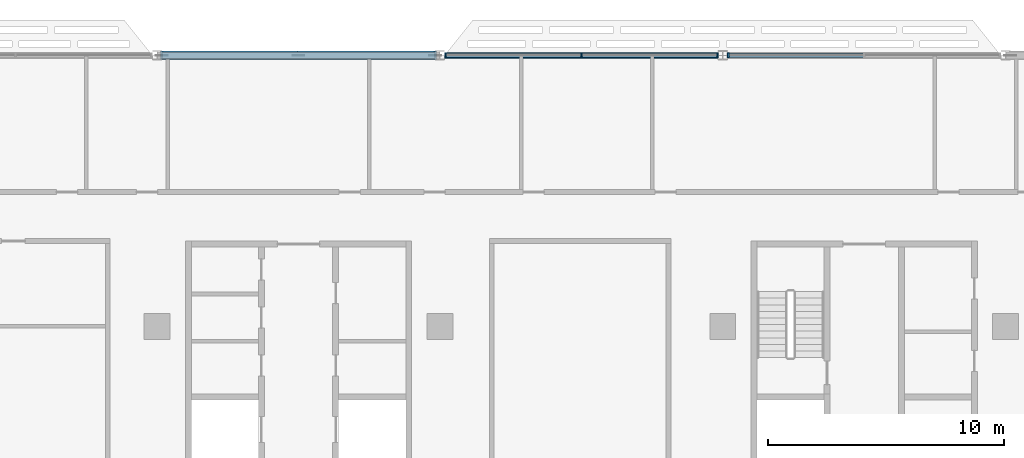
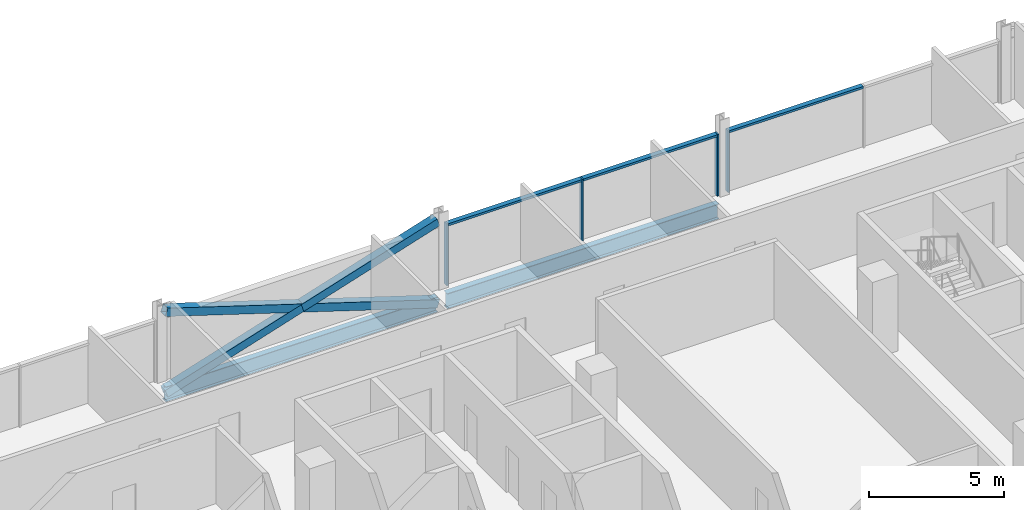
# One storey, part 8 of 30: 10 members, 2 beams, 2 elements without a shape of their own.
"""IFC4 building model written with IfcOpenShell, lengths in metres."""

from ifc_helpers import new_model, si_unit, direction, frame, origin, origin_2d, place, context, subcontext, project, spatial, rectangle, hollow_rectangle, i_section, extrude, material, material_profile, profile_set, type_object, element, aggregate, save


model = new_model("IFC4")

# Units and contexts
model_context = context("Model", 3, precision=1e-05, world=origin(), true_north=direction((0.0, 1.0)))
body_context = subcontext(model_context, "Body", "Model", "MODEL_VIEW")
ifc_project = project(units=[si_unit("LENGTHUNIT", "METRE"), si_unit("AREAUNIT", "SQUARE_METRE"), si_unit("VOLUMEUNIT", "CUBIC_METRE"), si_unit("PLANEANGLEUNIT", "RADIAN"), si_unit("MASSUNIT", "GRAM", prefix="KILO")], contexts=[model_context])

# Site, building, storey
site_placement = place(None, origin())
site = spatial("IfcSite", under=ifc_project, at=site_placement, CompositionType="ELEMENT")
building_placement = place(site_placement, origin())
building = spatial("IfcBuilding", under=site, at=building_placement, Name="Mahtab Terrace Research Tower", CompositionType="ELEMENT")
storey_placement = place(building_placement, frame((0.0, 0.0, 201.5)))
storey = spatial("IfcBuildingStorey", under=building, at=storey_placement, Name="L48", CompositionType="ELEMENT", Elevation=201.5)

# Members
ifc_material_1 = material(Name="Steel ASTM A500 Gr C", Category="steel")
ifc_material_profile_1 = material_profile(ifc_material_1, hollow_rectangle(XDim=0.355712890625, YDim=0.355712890625, WallThickness=0.015869140625, at=origin_2d()), Name="HSS14X14X5/8")
ifc_profile_set_1 = profile_set([ifc_material_profile_1], Name="Steel ASTM A500 Gr C")
member_type_1 = type_object("IfcMemberType", Name="HSS 14x14x5/8 brace XB141458", PredefinedType="BRACE", material=ifc_profile_set_1)
member_1_placement = place(storey_placement, frame((5.79931640625, 23.0, -0.615478515625), z_axis=(-0.953343380425, 0.0, 0.301888057067), x_axis=(0.0, -1.0, 0.0)))
element("IfcMember", 1, at=member_1_placement, inside=storey, type_object=member_type_1, Name="Exoskeleton brace L48 05 a", PredefinedType="BRACE", context=body_context, shape_type="SweptSolid", body=[
    extrude(hollow_rectangle(XDim=0.355712890625, YDim=0.355712890625, WallThickness=0.015869140625, at=origin_2d()), origin(), (0.0, 0.0, 1.0), 12.166259765625),
])
for number, where, z_axis, x_axis, name in (
    (2, (-5.79931640625, 23.0, -0.615478515625), (0.953343380425, 0.0, 0.301888057067), (0.0, 1.0, 0.0), "Exoskeleton brace L48 05 b1"),
    (3, (0.0, 23.0, 1.220947265625), (0.953343380425, 0.0, 0.301888057067), (0.0, 1.0, 0.0), "Exoskeleton brace L48 05 b2"),
):
    element("IfcMember", number, at=place(storey_placement, frame(where, z_axis=z_axis, x_axis=x_axis)), inside=storey, type_object=member_type_1, Name=name, PredefinedType="BRACE", context=body_context, shape_type="SweptSolid", body=[
        extrude(hollow_rectangle(XDim=0.355712890625, YDim=0.355712890625, WallThickness=0.015869140625, at=origin_2d()), origin(), (0.0, 0.0, 1.0), 6.083251953125),
    ])

# Curtain wall, member
ifc_material_2 = material(Name="Laboratory ribbon curtain wall")
curtain_wall_type = type_object("IfcCurtainWallType", Name="Laboratory ribbon curtain wall", PredefinedType="NOTDEFINED", material=ifc_material_2)
curtain_wall_1_placement = place(storey_placement, origin())
curtain_wall_1 = element("IfcCurtainWall", 4, at=curtain_wall_1_placement, inside=storey, type_object=curtain_wall_type, Name="EN.L48.3.5", PredefinedType="NOTDEFINED")
ifc_material_3 = material(Name="Natural anodised aluminium", Category="aluminium")
ifc_material_profile_2 = material_profile(ifc_material_3, rectangle(XDim=0.199951171875, YDim=0.06494140625, at=origin_2d()), Name="MULLION 65x200")
ifc_profile_set_2 = profile_set([ifc_material_profile_2], Name="Natural anodised aluminium")
member_type_2 = type_object("IfcMemberType", Name="Laboratory ribbon curtain wall mullion", PredefinedType="MULLION", material=ifc_profile_set_2)
member_2_placement = place(storey_placement, frame((18.232421875, 23.0, 0.0), z_axis=(0.0, 0.0, 1.0), x_axis=(0.0, -1.0, 0.0)))
member_2 = element("IfcMember", 5, at=member_2_placement, type_object=member_type_2, Name="CWL-6 mullion 3", PredefinedType="MULLION", context=body_context, shape_type="SweptSolid", body=[
    extrude(rectangle(XDim=0.199951171875, YDim=0.06494140625, at=origin_2d()), origin(), (0.0, 0.0, 1.0), 2.78173828125),
])

# Curtain wall, members
curtain_wall_2_placement = place(storey_placement, origin())
curtain_wall_2 = element("IfcCurtainWall", 6, at=curtain_wall_2_placement, inside=storey, type_object=curtain_wall_type, Name="EN.L48.3.6", PredefinedType="NOTDEFINED")
member_3_placement = place(storey_placement, frame((17.767578125, 23.0, 0.0), z_axis=(0.0, 0.0, 1.0), x_axis=(0.0, -1.0, 0.0)))
member_3 = element("IfcMember", 7, at=member_3_placement, type_object=member_type_2, Name="CWL-6 mullion 1", PredefinedType="MULLION", context=body_context, shape_type="SweptSolid", body=[
    extrude(rectangle(XDim=0.199951171875, YDim=0.06494140625, at=origin_2d()), origin(), (0.0, 0.0, 1.0), 2.78173828125),
])
member_4_placement = place(storey_placement, frame((12.0, 23.0, 0.0), z_axis=(0.0, 0.0, 1.0), x_axis=(0.0, -1.0, 0.0)))
member_4 = element("IfcMember", 8, at=member_4_placement, type_object=member_type_2, Name="CWL-6 mullion 2", PredefinedType="MULLION", context=body_context, shape_type="SweptSolid", body=[
    extrude(rectangle(XDim=0.199951171875, YDim=0.06494140625, at=origin_2d()), origin(), (0.0, 0.0, 1.0), 2.78173828125),
])
member_5_placement = place(storey_placement, frame((6.232421875, 23.0, 0.0), z_axis=(0.0, 0.0, 1.0), x_axis=(0.0, -1.0, 0.0)))
member_5 = element("IfcMember", 9, at=member_5_placement, type_object=member_type_2, Name="CWL-6 mullion 3", PredefinedType="MULLION", context=body_context, shape_type="SweptSolid", body=[
    extrude(rectangle(XDim=0.199951171875, YDim=0.06494140625, at=origin_2d()), origin(), (0.0, 0.0, 1.0), 2.78173828125),
])

# Member
ifc_material_profile_3 = material_profile(ifc_material_3, rectangle(XDim=0.199951171875, YDim=0.10009765625, at=origin_2d()), Name="TRANSOM 100x200")
ifc_profile_set_3 = profile_set([ifc_material_profile_3], Name="Natural anodised aluminium")
member_type_3 = type_object("IfcMemberType", Name="Laboratory ribbon curtain wall transom", PredefinedType="USERDEFINED", material=ifc_profile_set_3)
member_6_placement = place(storey_placement, frame((23.967529296875, 23.0, 2.731689453125), z_axis=(-1.0, 0.0, 0.0), x_axis=(0.0, -1.0, 0.0)))
member_6 = element("IfcMember", 10, at=member_6_placement, type_object=member_type_3, Name="CWL-6 transom 2", ObjectType="TRANSOM", PredefinedType="USERDEFINED", context=body_context, shape_type="SweptSolid", body=[
    extrude(rectangle(XDim=0.199951171875, YDim=0.10009765625, at=origin_2d()), origin(), (0.0, 0.0, 1.0), 5.70263671875),
])

aggregate(curtain_wall_1, [member_2, member_6])

member_7_placement = place(storey_placement, frame((17.735107421875, 23.0, 2.731689453125), z_axis=(-1.0, 0.0, 0.0), x_axis=(0.0, -1.0, 0.0)))
member_7 = element("IfcMember", 11, at=member_7_placement, type_object=member_type_3, Name="CWL-6 transom 1", ObjectType="TRANSOM", PredefinedType="USERDEFINED", context=body_context, shape_type="SweptSolid", body=[
    extrude(rectangle(XDim=0.199951171875, YDim=0.10009765625, at=origin_2d()), origin(), (0.0, 0.0, 1.0), 5.70263671875),
])

member_8_placement = place(storey_placement, frame((11.967529296875, 23.0, 2.731689453125), z_axis=(-1.0, 0.0, 0.0), x_axis=(0.0, -1.0, 0.0)))
member_8 = element("IfcMember", 12, at=member_8_placement, type_object=member_type_3, Name="CWL-6 transom 2", ObjectType="TRANSOM", PredefinedType="USERDEFINED", context=body_context, shape_type="SweptSolid", body=[
    extrude(rectangle(XDim=0.199951171875, YDim=0.10009765625, at=origin_2d()), origin(), (0.0, 0.0, 1.0), 5.70263671875),
])

aggregate(curtain_wall_2, [member_3, member_4, member_5, member_7, member_8])

# Beams
ifc_material_4 = material(Name="Steel ASTM A992 Gr 50", Category="steel")
ifc_material_profile_4 = material_profile(ifc_material_4, i_section(OverallWidth=0.25390625, OverallDepth=0.67822265625, WebThickness=0.01171875, FlangeThickness=0.016357421875, at=origin_2d()), Name="W27X84")
ifc_profile_set_4 = profile_set([ifc_material_profile_4], Name="Steel ASTM A992 Gr 50")
beam_type = type_object("IfcBeamType", Name="W27x84 beam BS2784", PredefinedType="BEAM", material=ifc_profile_set_4)
for number, where, z_axis, x_axis, name in (
    (13, (17.79931640625, 23.0, -0.67919921875), (-1.0, 0.0, 0.0), (0.0, -1.0, 0.0), "Spandrel beam L48 04"),
    (14, (5.79931640625, 23.0, -0.67919921875), (-1.0, 0.0, 0.0), (0.0, -1.0, 0.0), "Spandrel beam L48 05"),
):
    element("IfcBeam", number, at=place(storey_placement, frame(where, z_axis=z_axis, x_axis=x_axis)), inside=storey, type_object=beam_type, Name=name, PredefinedType="BEAM", context=body_context, shape_type="SweptSolid", body=[
        extrude(i_section(OverallWidth=0.25390625, OverallDepth=0.67822265625, WebThickness=0.01171875, FlangeThickness=0.016357421875, at=origin_2d()), origin(), (0.0, 0.0, 1.0), 11.5986328125),
    ])

save(model, "model.ifc")
